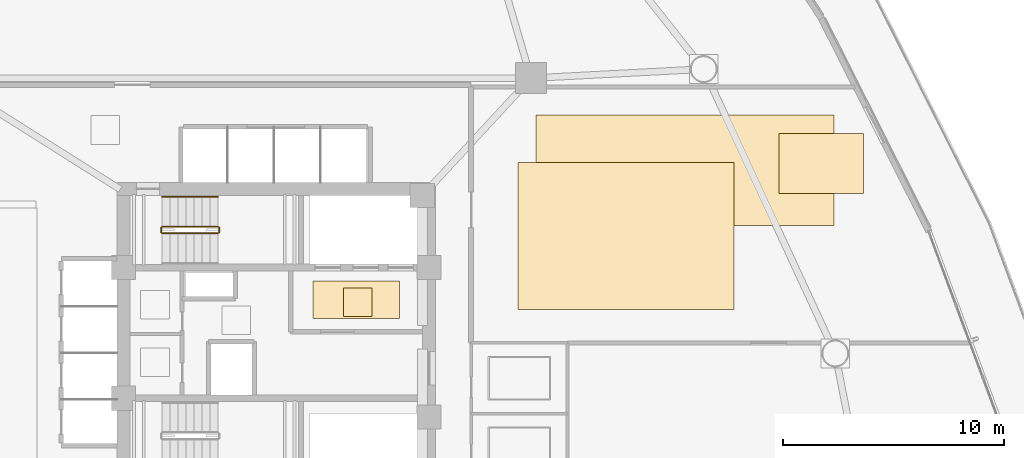
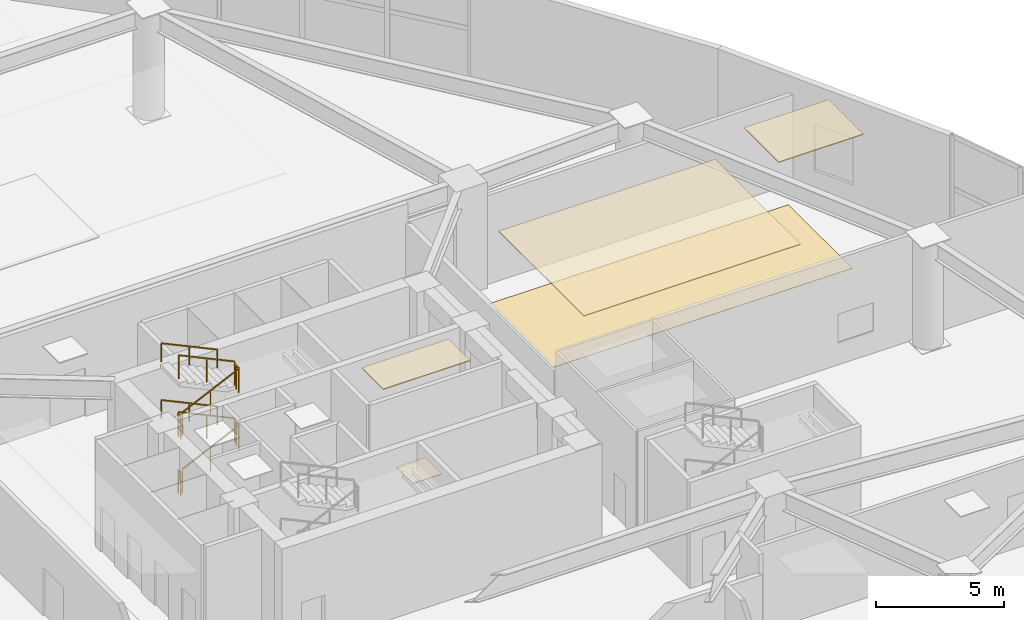
# One storey, part 22 of 25: 10 railings, 5 coverings.
"""IFC4 building model written with IfcOpenShell, lengths in metres."""

from ifc_helpers import new_model, si_unit, direction, frame, origin, origin_2d, place, context, subcontext, project, spatial, polyline, rectangle, outline, extrude, material, layer, layer_set, type_object, element, save


model = new_model("IFC4")

# Units and contexts
model_context = context("Model", 3, precision=1e-05, world=origin(), true_north=direction((0.0, 1.0)))
body_context = subcontext(model_context, "Body", "Model", "MODEL_VIEW")
ifc_project = project(units=[si_unit("LENGTHUNIT", "METRE"), si_unit("AREAUNIT", "SQUARE_METRE"), si_unit("VOLUMEUNIT", "CUBIC_METRE"), si_unit("PLANEANGLEUNIT", "RADIAN"), si_unit("MASSUNIT", "GRAM", prefix="KILO")], contexts=[model_context])

# Site, building, storey
site_placement = place(None, origin())
site = spatial("IfcSite", under=ifc_project, at=site_placement, CompositionType="ELEMENT")
building_placement = place(site_placement, origin())
building = spatial("IfcBuilding", under=site, at=building_placement, Name="Tavelor Broadcast Tower", CompositionType="ELEMENT")
storey_placement = place(building_placement, frame((0.0, 0.0, 11.39990234375)))
storey = spatial("IfcBuildingStorey", under=building, at=storey_placement, Name="L02", CompositionType="ELEMENT", Elevation=11.39990234375)

# Covering
ifc_material_1 = material(Name="Copper-Bronze Anodized Aluminium", Category="aluminium")
ifc_layer_1 = layer(ifc_material_1, 0.044921875)
ifc_layer_set_1 = layer_set([ifc_layer_1], Name="Copper-Bronze Anodized Aluminium")
covering_type_1 = type_object("IfcCoveringType", Name="Anodised Bronze Linear Slatted Concourse Ceiling 45 mm", PredefinedType="CEILING", material=ifc_layer_set_1)
covering_1_placement = place(storey_placement, frame((0.0, 0.0, 5.005126953125)))
element("IfcCovering", 1, at=covering_1_placement, inside=storey, type_object=covering_type_1, Name="L02 Suspended Acoustic Ceiling 0054", PredefinedType="CEILING", context=body_context, shape_type="SweptSolid", body=[
    extrude(outline(polyline([(51.659912109375, 45.654296875), (55.55712890625, 45.654296875), (55.55712890625, 47.331787109375), (51.659912109375, 47.331787109375), (51.659912109375, 45.654296875)])), origin(), (0.0, 0.0, 1.0), 0.044921875),
])

# Railings
ifc_material_2 = material(Name="Steel S355", Category="steel")
railing_type_1 = type_object("IfcRailingType", Name="Continuous Brushed Stainless Handrail 900 mm", PredefinedType="HANDRAIL", material=ifc_material_2)
for number, where, name in (
    (2, (47.3701171875, 51.14990234375, 1.518798828125), "L02 ST1 stair handrail 2"),
    (3, (47.3701171875, 51.14990234375, 4.21875), "L02 ST1 stair handrail 4"),
):
    element("IfcRailing", number, at=place(storey_placement, frame(where)), inside=storey, type_object=railing_type_1, Name=name, PredefinedType="HANDRAIL", context=body_context, shape_type="SweptSolid", body=[
        extrude(rectangle(XDim=0.048095703125, YDim=0.048095703125, at=origin_2d()), frame((0.0, 0.0, 0.8759765625), z_axis=(-0.905439972488, 0.0, 0.424474329284), x_axis=(0.0, -1.0, 0.0)), (0.0, 0.0, 1.0), 2.783203125),
        extrude(rectangle(XDim=0.0419921875, YDim=0.0419921875, at=origin_2d()), origin(), (0.0, 0.0, 1.0), 0.851806640625),
        extrude(rectangle(XDim=0.0419921875, YDim=0.0419921875, at=origin_2d()), frame((-1.260009765625, 0.0, 0.5908203125)), (0.0, 0.0, 1.0), 0.851806640625),
        extrude(rectangle(XDim=0.0419921875, YDim=0.0419921875, at=origin_2d()), frame((-2.52001953125, 0.0, 1.181396484375)), (0.0, 0.0, 1.0), 0.851806640625),
    ])

# Coverings
ifc_material_3 = material(Name="Acoustic Nylon Carpet Tile")
ifc_layer_2 = layer(ifc_material_3, 0.02001953125)
ifc_layer_set_2 = layer_set([ifc_layer_2], Name="Acoustic Nylon Carpet Tile")
covering_type_2 = type_object("IfcCoveringType", Name="Heavy-Duty Acoustic Broadcast Carpet Tile 20 mm", PredefinedType="FLOORING", material=ifc_layer_set_2)
covering_2_placement = place(storey_placement, origin())
element("IfcCovering", 4, at=covering_2_placement, inside=storey, type_object=covering_type_2, Name="L02 Broadcast Floor Finish 0032", PredefinedType="FLOORING", context=body_context, shape_type="SweptSolid", body=[
    extrude(outline(polyline([(61.718505859375, 49.83837890625), (75.175048828125, 49.83837890625), (75.175048828125, 54.827880859375), (61.718505859375, 54.827880859375), (61.718505859375, 49.83837890625)])), origin(), (0.0, 0.0, 1.0), 0.02001953125),
])
ifc_material_4 = material(Name="Honed Natural Limestone Tile", Category="masonry")
ifc_layer_3 = layer(ifc_material_4, 0.030029296875)
ifc_layer_set_3 = layer_set([ifc_layer_3], Name="Honed Natural Limestone Tile")
covering_type_3 = type_object("IfcCoveringType", Name="Honed Jerusalem Limestone Concourse Flooring 30 mm", PredefinedType="FLOORING", material=ifc_layer_set_3)
covering_3_placement = place(storey_placement, origin())
element("IfcCovering", 5, at=covering_3_placement, inside=storey, type_object=covering_type_3, Name="L02 Broadcast Floor Finish 0023", PredefinedType="FLOORING", context=body_context, shape_type="SweptSolid", body=[
    extrude(outline(polyline([(53.030029296875, 45.728515625), (54.330078125, 45.728515625), (54.330078125, 47.028564453125), (53.030029296875, 47.028564453125), (53.030029296875, 45.728515625)])), origin(), (0.0, 0.0, 1.0), 0.030029296875),
])

# Railings
railing_type_2 = type_object("IfcRailingType", Name="Stairwell Steel Safety Guardrail 1150 mm", PredefinedType="GUARDRAIL", material=ifc_material_2)
railing_1_placement = place(storey_placement, frame((44.85009765625, 49.5, 0.1689453125)))
element("IfcRailing", 6, at=railing_1_placement, inside=storey, type_object=railing_type_2, Name="L02 ST1 stair guard 1", PredefinedType="GUARDRAIL", context=body_context, shape_type="SweptSolid", body=[
    extrude(rectangle(XDim=0.048095703125, YDim=0.048095703125, at=origin_2d()), frame((0.0, 0.0, 1.1259765625), z_axis=(0.905473684625, 0.0, 0.424402410988), x_axis=(0.0, 1.0, 0.0)), (0.0, 0.0, 1.0), 2.783203125),
    extrude(rectangle(XDim=0.0419921875, YDim=0.0419921875, at=origin_2d()), origin(), (0.0, 0.0, 1.0), 1.101806640625),
    extrude(rectangle(XDim=0.0419921875, YDim=0.0419921875, at=origin_2d()), frame((1.260009765625, 0.0, 0.590576171875)), (0.0, 0.0, 1.0), 1.101806640625),
    extrude(rectangle(XDim=0.0419921875, YDim=0.0419921875, at=origin_2d()), frame((2.52001953125, 0.0, 1.18115234375)), (0.0, 0.0, 1.0), 1.101806640625),
])
railing_2_placement = place(storey_placement, frame((47.419921875, 49.550048828125, 1.35009765625)))
element("IfcRailing", 7, at=railing_2_placement, inside=storey, type_object=railing_type_2, Name="L02 ST1 stair guard 2", PredefinedType="GUARDRAIL", context=body_context, shape_type="SweptSolid", body=[
    extrude(rectangle(XDim=0.048095703125, YDim=0.048095703125, at=origin_2d()), frame((0.0, 0.0, 1.1259765625), z_axis=(0.0, 1.0, 0.0), x_axis=(-1.0, 0.0, 0.0)), (0.0, 0.0, 1.0), 0.199951171875),
    extrude(rectangle(XDim=0.0419921875, YDim=0.0419921875, at=origin_2d()), origin(), (0.0, 0.0, 1.0), 1.101806640625),
    extrude(rectangle(XDim=0.0419921875, YDim=0.0419921875, at=origin_2d()), frame((0.0, 0.199951171875, 0.0)), (0.0, 0.0, 1.0), 1.101806640625),
])
railing_3_placement = place(storey_placement, frame((47.3701171875, 49.800048828125, 1.518798828125)))
element("IfcRailing", 8, at=railing_3_placement, inside=storey, type_object=railing_type_2, Name="L02 ST1 stair guard 3", PredefinedType="GUARDRAIL", context=body_context, shape_type="SweptSolid", body=[
    extrude(rectangle(XDim=0.048095703125, YDim=0.048095703125, at=origin_2d()), frame((0.0, 0.0, 1.1259765625), z_axis=(-0.905439972488, 0.0, 0.424474329284), x_axis=(0.0, -1.0, 0.0)), (0.0, 0.0, 1.0), 2.783203125),
    extrude(rectangle(XDim=0.0419921875, YDim=0.0419921875, at=origin_2d()), origin(), (0.0, 0.0, 1.0), 1.101806640625),
    extrude(rectangle(XDim=0.0419921875, YDim=0.0419921875, at=origin_2d()), frame((-1.260009765625, 0.0, 0.5908203125)), (0.0, 0.0, 1.0), 1.101806640625),
    extrude(rectangle(XDim=0.0419921875, YDim=0.0419921875, at=origin_2d()), frame((-2.52001953125, 0.0, 1.181396484375)), (0.0, 0.0, 1.0), 1.101806640625),
])
railing_4_placement = place(storey_placement, frame((44.800048828125, 49.550048828125, 2.7001953125)))
element("IfcRailing", 9, at=railing_4_placement, inside=storey, type_object=railing_type_2, Name="L02 ST1 stair guard 4", PredefinedType="GUARDRAIL", context=body_context, shape_type="SweptSolid", body=[
    extrude(rectangle(XDim=0.048095703125, YDim=0.048095703125, at=origin_2d()), frame((0.0, 0.0, 1.1259765625), z_axis=(0.0, 1.0, 0.0), x_axis=(-1.0, 0.0, 0.0)), (0.0, 0.0, 1.0), 0.199951171875),
    extrude(rectangle(XDim=0.0419921875, YDim=0.0419921875, at=origin_2d()), origin(), (0.0, 0.0, 1.0), 1.101806640625),
    extrude(rectangle(XDim=0.0419921875, YDim=0.0419921875, at=origin_2d()), frame((0.0, 0.199951171875, 0.0)), (0.0, 0.0, 1.0), 1.101806640625),
])
railing_5_placement = place(storey_placement, frame((44.85009765625, 49.5, 2.868896484375)))
element("IfcRailing", 10, at=railing_5_placement, inside=storey, type_object=railing_type_2, Name="L02 ST1 stair guard 5", PredefinedType="GUARDRAIL", context=body_context, shape_type="SweptSolid", body=[
    extrude(rectangle(XDim=0.048095703125, YDim=0.048095703125, at=origin_2d()), frame((0.0, 0.0, 1.1259765625), z_axis=(0.905473684625, 0.0, 0.424402410988), x_axis=(0.0, 1.0, 0.0)), (0.0, 0.0, 1.0), 2.783203125),
    extrude(rectangle(XDim=0.0419921875, YDim=0.0419921875, at=origin_2d()), origin(), (0.0, 0.0, 1.0), 1.101806640625),
    extrude(rectangle(XDim=0.0419921875, YDim=0.0419921875, at=origin_2d()), frame((1.260009765625, 0.0, 0.590576171875)), (0.0, 0.0, 1.0), 1.101806640625),
    extrude(rectangle(XDim=0.0419921875, YDim=0.0419921875, at=origin_2d()), frame((2.52001953125, 0.0, 1.18115234375)), (0.0, 0.0, 1.0), 1.101806640625),
])
railing_6_placement = place(storey_placement, frame((47.419921875, 49.550048828125, 4.050048828125)))
element("IfcRailing", 11, at=railing_6_placement, inside=storey, type_object=railing_type_2, Name="L02 ST1 stair guard 6", PredefinedType="GUARDRAIL", context=body_context, shape_type="SweptSolid", body=[
    extrude(rectangle(XDim=0.048095703125, YDim=0.048095703125, at=origin_2d()), frame((0.0, 0.0, 1.1259765625), z_axis=(0.0, 1.0, 0.0), x_axis=(-1.0, 0.0, 0.0)), (0.0, 0.0, 1.0), 0.199951171875),
    extrude(rectangle(XDim=0.0419921875, YDim=0.0419921875, at=origin_2d()), origin(), (0.0, 0.0, 1.0), 1.101806640625),
    extrude(rectangle(XDim=0.0419921875, YDim=0.0419921875, at=origin_2d()), frame((0.0, 0.199951171875, 0.0)), (0.0, 0.0, 1.0), 1.101806640625),
])
railing_7_placement = place(storey_placement, frame((47.3701171875, 49.800048828125, 4.21875)))
element("IfcRailing", 12, at=railing_7_placement, inside=storey, type_object=railing_type_2, Name="L02 ST1 stair guard 7", PredefinedType="GUARDRAIL", context=body_context, shape_type="SweptSolid", body=[
    extrude(rectangle(XDim=0.048095703125, YDim=0.048095703125, at=origin_2d()), frame((0.0, 0.0, 1.1259765625), z_axis=(-0.905439972488, 0.0, 0.424474329284), x_axis=(0.0, -1.0, 0.0)), (0.0, 0.0, 1.0), 2.783203125),
    extrude(rectangle(XDim=0.0419921875, YDim=0.0419921875, at=origin_2d()), origin(), (0.0, 0.0, 1.0), 1.101806640625),
    extrude(rectangle(XDim=0.0419921875, YDim=0.0419921875, at=origin_2d()), frame((-1.260009765625, 0.0, 0.5908203125)), (0.0, 0.0, 1.0), 1.101806640625),
    extrude(rectangle(XDim=0.0419921875, YDim=0.0419921875, at=origin_2d()), frame((-2.52001953125, 0.0, 1.181396484375)), (0.0, 0.0, 1.0), 1.101806640625),
])
railing_8_placement = place(storey_placement, frame((44.800048828125, 49.550048828125, 0.0)))
element("IfcRailing", 13, at=railing_8_placement, inside=storey, type_object=railing_type_2, Name="L02 ST1 stair guard 8", PredefinedType="GUARDRAIL", context=body_context, shape_type="SweptSolid", body=[
    extrude(rectangle(XDim=0.048095703125, YDim=0.048095703125, at=origin_2d()), frame((0.0, 0.0, 1.1259765625), z_axis=(0.0, 1.0, 0.0), x_axis=(-1.0, 0.0, 0.0)), (0.0, 0.0, 1.0), 0.199951171875),
    extrude(rectangle(XDim=0.0419921875, YDim=0.0419921875, at=origin_2d()), origin(), (0.0, 0.0, 1.0), 1.101806640625),
    extrude(rectangle(XDim=0.0419921875, YDim=0.0419921875, at=origin_2d()), frame((0.0, 0.199951171875, 0.0)), (0.0, 0.0, 1.0), 1.101806640625),
])

# Coverings
ifc_material_5 = material(Name="Acoustic Mineral Fibre Tile")
ifc_layer_4 = layer(ifc_material_5, 0.0400390625)
ifc_layer_set_4 = layer_set([ifc_layer_4], Name="Acoustic Mineral Fibre Tile")
covering_type_4 = type_object("IfcCoveringType", Name="Suspended Acoustic Mineral-Fibre Office Ceiling 40 mm", PredefinedType="CEILING", material=ifc_layer_set_4)
covering_4_placement = place(storey_placement, frame((0.0, 0.0, 5.010009765625)))
element("IfcCovering", 14, at=covering_4_placement, inside=storey, type_object=covering_type_4, Name="L02 Suspended Acoustic Ceiling 0076", PredefinedType="CEILING", context=body_context, shape_type="SweptSolid", body=[
    extrude(outline(polyline([(72.70361328125, 51.303955078125), (76.514404296875, 51.303955078125), (76.514404296875, 54.009765625), (72.70361328125, 54.009765625), (72.70361328125, 51.303955078125)])), origin(), (0.0, 0.0, 1.0), 0.0400390625),
])
covering_5_placement = place(storey_placement, frame((0.0, 0.0, 5.010009765625)))
element("IfcCovering", 15, at=covering_5_placement, inside=storey, type_object=covering_type_4, Name="L02 Suspended Acoustic Ceiling 0077", PredefinedType="CEILING", context=body_context, shape_type="SweptSolid", body=[
    extrude(outline(polyline([(60.91650390625, 46.054931640625), (70.6591796875, 46.054931640625), (70.6591796875, 52.703857421875), (60.91650390625, 52.703857421875), (60.91650390625, 46.054931640625)])), origin(), (0.0, 0.0, 1.0), 0.0400390625),
])

save(model, "model.ifc")
